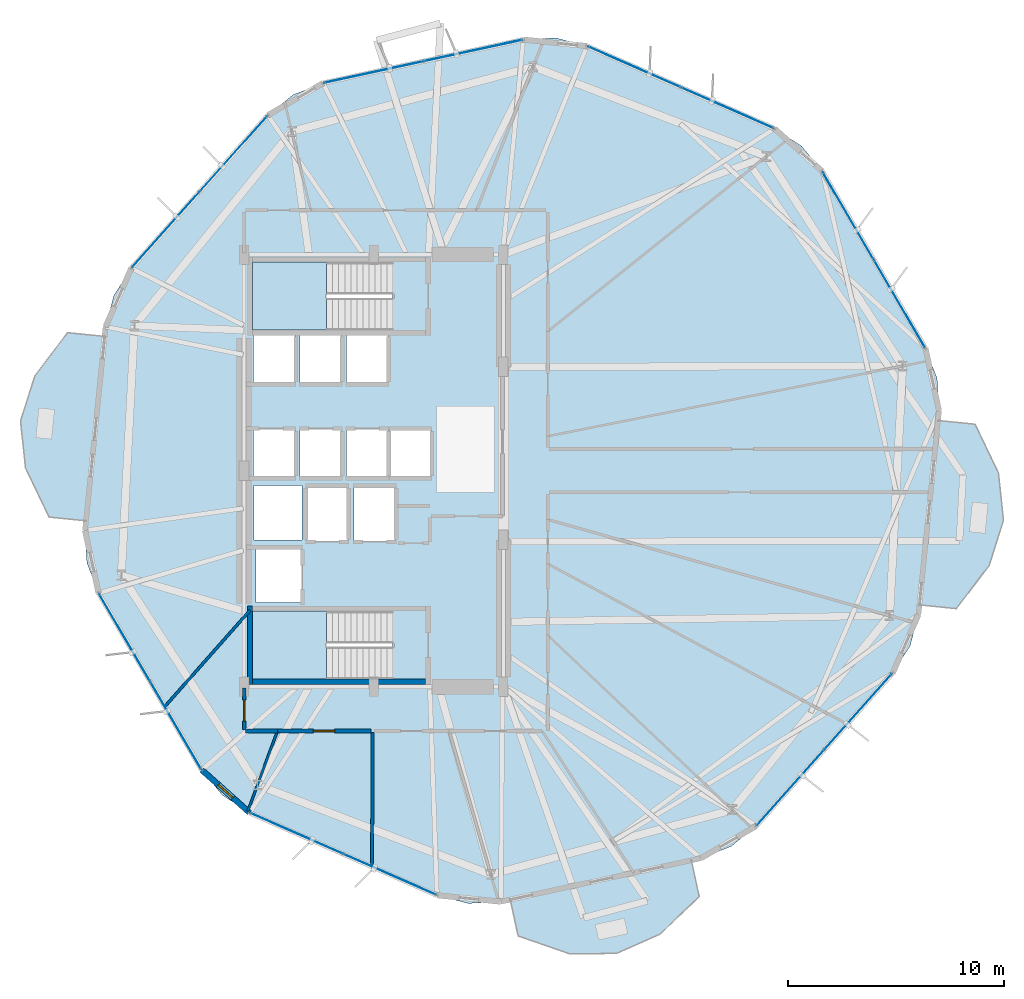
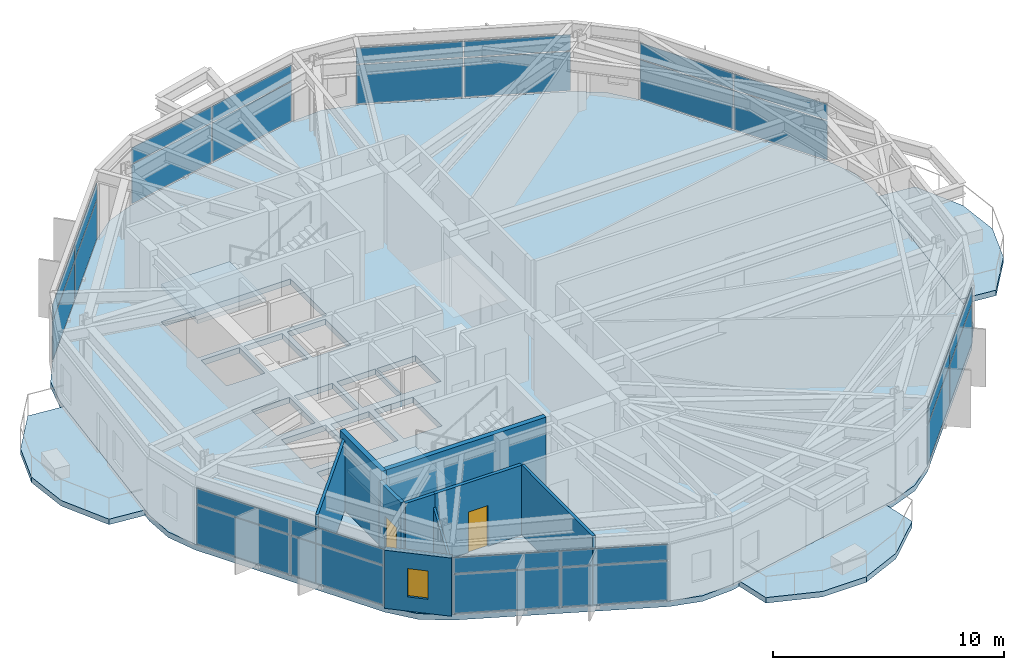
# One storey, part 16 of 22: 28 plates, 9 walls, 6 slabs, 2 doors, 1 window, 3 openings, 9 elements without a shape of their own.
"""IFC4 building model written with IfcOpenShell, lengths in metres."""

from ifc_helpers import new_model, si_unit, direction, frame, frame_2d, origin, origin_2d, place, context, subcontext, project, spatial, polyline, rectangle, outline, extrude, material, layer, layer_set, type_object, element, fill, aggregate, save


model = new_model("IFC4")

# Units and contexts
model_context = context("Model", 3, precision=1e-05, world=origin(), true_north=direction((0.0, 1.0)))
body_context = subcontext(model_context, "Body", "Model", "MODEL_VIEW")
ifc_project = project(units=[si_unit("LENGTHUNIT", "METRE"), si_unit("AREAUNIT", "SQUARE_METRE"), si_unit("VOLUMEUNIT", "CUBIC_METRE"), si_unit("PLANEANGLEUNIT", "RADIAN"), si_unit("MASSUNIT", "GRAM", prefix="KILO")], contexts=[model_context])

# Site, building, storey
site_placement = place(None, origin())
site = spatial("IfcSite", under=ifc_project, at=site_placement, CompositionType="ELEMENT")
building_placement = place(site_placement, origin())
building = spatial("IfcBuilding", under=site, at=building_placement, Name="Soratama Intermodal Tower", CompositionType="ELEMENT")
storey_placement = place(building_placement, frame((0.0, 0.0, 74.60009765625)))
storey = spatial("IfcBuildingStorey", under=building, at=storey_placement, Name="L17", CompositionType="ELEMENT", Elevation=74.60009765625)

# Curtain wall, plates
ifc_material_1 = material(Name="Double-glazed aluminium curtain wall", Category="aluminium")
ifc_layer_1 = layer(ifc_material_1, 0.159912109375)
ifc_layer_set_1 = layer_set([ifc_layer_1], Name="Double-glazed aluminium curtain wall")
curtain_wall_type = type_object("IfcCurtainWallType", Name="CW-SYS-2", PredefinedType="NOTDEFINED", material=ifc_layer_set_1)
curtain_wall_1_placement = place(storey_placement, origin())
curtain_wall_1 = element("IfcCurtainWall", 1, at=curtain_wall_1_placement, inside=storey, type_object=curtain_wall_type, Name="L17 Faceted Curtain Wall F01", PredefinedType="NOTDEFINED")
ifc_material_2 = material(Name="Low-E laminated double glazing", Category="glass")
ifc_layer_2 = layer(ifc_material_2, 0.031982421875)
ifc_layer_set_2 = layer_set([ifc_layer_2], Name="Low-E laminated double glazing")
plate_type = type_object("IfcPlateType", Name="PT-CWP-2", PredefinedType="CURTAIN_PANEL", material=ifc_layer_set_2)
plate_1_placement = place(storey_placement, frame((62.931640625, 32.72802734375, 0.059814453125), z_axis=(0.0, 0.0, 1.0), x_axis=(-0.503620383377, 0.863925060088, 0.0)))
plate_1 = element("IfcPlate", 2, at=plate_1_placement, type_object=plate_type, Name="CW-2 panel 1.1", PredefinedType="CURTAIN_PANEL", context=body_context, shape_type="SweptSolid", body=[
    extrude(rectangle(XDim=4.6484375, YDim=0.028076171875, at=origin_2d()), origin(), (0.0, 0.0, 1.0), 2.06005859375),
])
plate_2_placement = place(storey_placement, frame((62.931640625, 32.72802734375, 2.1796875), z_axis=(0.0, 0.0, 1.0), x_axis=(-0.503620383377, 0.863925060088, 0.0)))
plate_2 = element("IfcPlate", 3, at=plate_2_placement, type_object=plate_type, Name="CW-2 panel 1.2", PredefinedType="CURTAIN_PANEL", context=body_context, shape_type="SweptSolid", body=[
    extrude(rectangle(XDim=4.6484375, YDim=0.028076171875, at=origin_2d()), origin(), (0.0, 0.0, 1.0), 0.839111328125),
])
plate_3_placement = place(storey_placement, frame((60.560302734375, 36.7958984375, 0.059814453125), z_axis=(0.0, 0.0, 1.0), x_axis=(-0.503620383377, 0.863925060088, 0.0)))
plate_3 = element("IfcPlate", 4, at=plate_3_placement, type_object=plate_type, Name="CW-2 panel 2.1", PredefinedType="CURTAIN_PANEL", context=body_context, shape_type="SweptSolid", body=[
    extrude(rectangle(XDim=4.6484375, YDim=0.028076171875, at=origin_2d()), origin(), (0.0, 0.0, 1.0), 2.06005859375),
])
plate_4_placement = place(storey_placement, frame((60.560302734375, 36.7958984375, 2.1796875), z_axis=(0.0, 0.0, 1.0), x_axis=(-0.503620383377, 0.863925060088, 0.0)))
plate_4 = element("IfcPlate", 5, at=plate_4_placement, type_object=plate_type, Name="CW-2 panel 2.2", PredefinedType="CURTAIN_PANEL", context=body_context, shape_type="SweptSolid", body=[
    extrude(rectangle(XDim=4.6484375, YDim=0.028076171875, at=origin_2d()), origin(), (0.0, 0.0, 1.0), 0.839111328125),
])
aggregate(curtain_wall_1, [plate_1, plate_2, plate_3, plate_4])

curtain_wall_2_placement = place(storey_placement, origin())
curtain_wall_2 = element("IfcCurtainWall", 6, at=curtain_wall_2_placement, inside=storey, type_object=curtain_wall_type, Name="L17 Faceted Curtain Wall F02", PredefinedType="NOTDEFINED")
plate_5_placement = place(storey_placement, frame((54.96435546875, 41.792236328125, 0.059814453125), z_axis=(0.0, 0.0, 1.0), x_axis=(-0.915242200703, 0.402904100318, 0.0)))
plate_5 = element("IfcPlate", 7, at=plate_5_placement, type_object=plate_type, Name="CW-2 panel 1.1", PredefinedType="CURTAIN_PANEL", context=body_context, shape_type="SweptSolid", body=[
    extrude(rectangle(XDim=4.6484375, YDim=0.028076171875, at=origin_2d()), origin(), (0.0, 0.0, 1.0), 2.06005859375),
])
plate_6_placement = place(storey_placement, frame((54.96435546875, 41.792236328125, 2.1796875), z_axis=(0.0, 0.0, 1.0), x_axis=(-0.915242200703, 0.402904100318, 0.0)))
plate_6 = element("IfcPlate", 8, at=plate_6_placement, type_object=plate_type, Name="CW-2 panel 1.2", PredefinedType="CURTAIN_PANEL", context=body_context, shape_type="SweptSolid", body=[
    extrude(rectangle(XDim=4.6484375, YDim=0.028076171875, at=origin_2d()), origin(), (0.0, 0.0, 1.0), 0.839111328125),
])
plate_7_placement = place(storey_placement, frame((50.655029296875, 43.689208984375, 0.059814453125), z_axis=(0.0, 0.0, 1.0), x_axis=(-0.915242200703, 0.402904100318, 0.0)))
plate_7 = element("IfcPlate", 9, at=plate_7_placement, type_object=plate_type, Name="CW-2 panel 2.1", PredefinedType="CURTAIN_PANEL", context=body_context, shape_type="SweptSolid", body=[
    extrude(rectangle(XDim=4.6484375, YDim=0.028076171875, at=origin_2d()), origin(), (0.0, 0.0, 1.0), 2.06005859375),
])
plate_8_placement = place(storey_placement, frame((50.655029296875, 43.689208984375, 2.1796875), z_axis=(0.0, 0.0, 1.0), x_axis=(-0.915242200703, 0.402904100318, 0.0)))
plate_8 = element("IfcPlate", 10, at=plate_8_placement, type_object=plate_type, Name="CW-2 panel 2.2", PredefinedType="CURTAIN_PANEL", context=body_context, shape_type="SweptSolid", body=[
    extrude(rectangle(XDim=4.6484375, YDim=0.028076171875, at=origin_2d()), origin(), (0.0, 0.0, 1.0), 0.839111328125),
])
aggregate(curtain_wall_2, [plate_5, plate_6, plate_7, plate_8])

curtain_wall_3_placement = place(storey_placement, origin())
curtain_wall_3 = element("IfcCurtainWall", 11, at=curtain_wall_3_placement, inside=storey, type_object=curtain_wall_type, Name="L17 Faceted Curtain Wall F03", PredefinedType="NOTDEFINED")
plate_9_placement = place(storey_placement, frame((43.191162109375, 44.442138671875, 0.059814453125), z_axis=(0.0, 0.0, 1.0), x_axis=(-0.977269789308, -0.211999431382, 0.0)))
plate_9 = element("IfcPlate", 12, at=plate_9_placement, type_object=plate_type, Name="CW-2 panel 1.1", PredefinedType="CURTAIN_PANEL", context=body_context, shape_type="SweptSolid", body=[
    extrude(rectangle(XDim=4.6484375, YDim=0.028076171875, at=origin_2d()), origin(), (0.0, 0.0, 1.0), 2.06005859375),
])
plate_10_placement = place(storey_placement, frame((43.191162109375, 44.442138671875, 2.1796875), z_axis=(0.0, 0.0, 1.0), x_axis=(-0.977269789308, -0.211999431382, 0.0)))
plate_10 = element("IfcPlate", 13, at=plate_10_placement, type_object=plate_type, Name="CW-2 panel 1.2", PredefinedType="CURTAIN_PANEL", context=body_context, shape_type="SweptSolid", body=[
    extrude(rectangle(XDim=4.6484375, YDim=0.028076171875, at=origin_2d()), origin(), (0.0, 0.0, 1.0), 0.839111328125),
])
plate_11_placement = place(storey_placement, frame((38.58984375, 43.44384765625, 0.059814453125), z_axis=(0.0, 0.0, 1.0), x_axis=(-0.977269789308, -0.211999431382, 0.0)))
plate_11 = element("IfcPlate", 14, at=plate_11_placement, type_object=plate_type, Name="CW-2 panel 2.1", PredefinedType="CURTAIN_PANEL", context=body_context, shape_type="SweptSolid", body=[
    extrude(rectangle(XDim=4.6484375, YDim=0.028076171875, at=origin_2d()), origin(), (0.0, 0.0, 1.0), 2.06005859375),
])
plate_12_placement = place(storey_placement, frame((38.58984375, 43.44384765625, 2.1796875), z_axis=(0.0, 0.0, 1.0), x_axis=(-0.977269789308, -0.211999431382, 0.0)))
plate_12 = element("IfcPlate", 15, at=plate_12_placement, type_object=plate_type, Name="CW-2 panel 2.2", PredefinedType="CURTAIN_PANEL", context=body_context, shape_type="SweptSolid", body=[
    extrude(rectangle(XDim=4.6484375, YDim=0.028076171875, at=origin_2d()), origin(), (0.0, 0.0, 1.0), 0.839111328125),
])
aggregate(curtain_wall_3, [plate_9, plate_10, plate_11, plate_12])

curtain_wall_4_placement = place(storey_placement, origin())
curtain_wall_4 = element("IfcCurtainWall", 16, at=curtain_wall_4_placement, inside=storey, type_object=curtain_wall_type, Name="L17 Faceted Curtain Wall F04", PredefinedType="NOTDEFINED")
plate_13_placement = place(storey_placement, frame((32.10888671875, 39.665771484375, 0.059814453125), z_axis=(0.0, 0.0, 1.0), x_axis=(-0.666016608076, -0.745936912726, 0.0)))
plate_13 = element("IfcPlate", 17, at=plate_13_placement, type_object=plate_type, Name="CW-2 panel 1.1", PredefinedType="CURTAIN_PANEL", context=body_context, shape_type="SweptSolid", body=[
    extrude(rectangle(XDim=4.6484375, YDim=0.028076171875, at=origin_2d()), origin(), (0.0, 0.0, 1.0), 2.06005859375),
])
plate_14_placement = place(storey_placement, frame((32.10888671875, 39.665771484375, 2.1796875), z_axis=(0.0, 0.0, 1.0), x_axis=(-0.666016608076, -0.745936912726, 0.0)))
plate_14 = element("IfcPlate", 18, at=plate_14_placement, type_object=plate_type, Name="CW-2 panel 1.2", PredefinedType="CURTAIN_PANEL", context=body_context, shape_type="SweptSolid", body=[
    extrude(rectangle(XDim=4.6484375, YDim=0.028076171875, at=origin_2d()), origin(), (0.0, 0.0, 1.0), 0.839111328125),
])
plate_15_placement = place(storey_placement, frame((28.97314453125, 36.153564453125, 0.059814453125), z_axis=(0.0, 0.0, 1.0), x_axis=(-0.666016608076, -0.745936912726, 0.0)))
plate_15 = element("IfcPlate", 19, at=plate_15_placement, type_object=plate_type, Name="CW-2 panel 2.1", PredefinedType="CURTAIN_PANEL", context=body_context, shape_type="SweptSolid", body=[
    extrude(rectangle(XDim=4.6484375, YDim=0.028076171875, at=origin_2d()), origin(), (0.0, 0.0, 1.0), 2.06005859375),
])
plate_16_placement = place(storey_placement, frame((28.97314453125, 36.153564453125, 2.1796875), z_axis=(0.0, 0.0, 1.0), x_axis=(-0.666016608076, -0.745936912726, 0.0)))
plate_16 = element("IfcPlate", 20, at=plate_16_placement, type_object=plate_type, Name="CW-2 panel 2.2", PredefinedType="CURTAIN_PANEL", context=body_context, shape_type="SweptSolid", body=[
    extrude(rectangle(XDim=4.6484375, YDim=0.028076171875, at=origin_2d()), origin(), (0.0, 0.0, 1.0), 0.839111328125),
])
aggregate(curtain_wall_4, [plate_13, plate_14, plate_15, plate_16])

curtain_wall_5_placement = place(storey_placement, origin())
curtain_wall_5 = element("IfcCurtainWall", 21, at=curtain_wall_5_placement, inside=storey, type_object=curtain_wall_type, Name="L17 Faceted Curtain Wall F06", PredefinedType="NOTDEFINED")
plate_17_placement = place(storey_placement, frame((27.068359375, 17.27197265625, 0.059814453125), z_axis=(0.0, 0.0, 1.0), x_axis=(0.503620383377, -0.863925060088, 0.0)))
plate_17 = element("IfcPlate", 22, at=plate_17_placement, type_object=plate_type, Name="CW-2 panel 1.1", PredefinedType="CURTAIN_PANEL", context=body_context, shape_type="SweptSolid", body=[
    extrude(rectangle(XDim=4.6484375, YDim=0.028076171875, at=origin_2d()), origin(), (0.0, 0.0, 1.0), 2.06005859375),
])
plate_18_placement = place(storey_placement, frame((27.068359375, 17.27197265625, 2.1796875), z_axis=(0.0, 0.0, 1.0), x_axis=(0.503620383377, -0.863925060088, 0.0)))
plate_18 = element("IfcPlate", 23, at=plate_18_placement, type_object=plate_type, Name="CW-2 panel 1.2", PredefinedType="CURTAIN_PANEL", context=body_context, shape_type="SweptSolid", body=[
    extrude(rectangle(XDim=4.6484375, YDim=0.028076171875, at=origin_2d()), origin(), (0.0, 0.0, 1.0), 0.839111328125),
])
plate_19_placement = place(storey_placement, frame((29.439697265625, 13.2041015625, 0.059814453125), z_axis=(0.0, 0.0, 1.0), x_axis=(0.503620383377, -0.863925060088, 0.0)))
plate_19 = element("IfcPlate", 24, at=plate_19_placement, type_object=plate_type, Name="CW-2 panel 2.1", PredefinedType="CURTAIN_PANEL", context=body_context, shape_type="SweptSolid", body=[
    extrude(rectangle(XDim=4.6484375, YDim=0.028076171875, at=origin_2d()), origin(), (0.0, 0.0, 1.0), 2.06005859375),
])
plate_20_placement = place(storey_placement, frame((29.439697265625, 13.2041015625, 2.1796875), z_axis=(0.0, 0.0, 1.0), x_axis=(0.503620383377, -0.863925060088, 0.0)))
plate_20 = element("IfcPlate", 25, at=plate_20_placement, type_object=plate_type, Name="CW-2 panel 2.2", PredefinedType="CURTAIN_PANEL", context=body_context, shape_type="SweptSolid", body=[
    extrude(rectangle(XDim=4.6484375, YDim=0.028076171875, at=origin_2d()), origin(), (0.0, 0.0, 1.0), 0.839111328125),
])
aggregate(curtain_wall_5, [plate_17, plate_18, plate_19, plate_20])

curtain_wall_6_placement = place(storey_placement, origin())
curtain_wall_6 = element("IfcCurtainWall", 26, at=curtain_wall_6_placement, inside=storey, type_object=curtain_wall_type, Name="L17 Faceted Curtain Wall F07", PredefinedType="NOTDEFINED")
plate_21_placement = place(storey_placement, frame((35.03564453125, 8.207763671875, 0.059814453125), z_axis=(0.0, 0.0, 1.0), x_axis=(0.915242200703, -0.402904100318, 0.0)))
plate_21 = element("IfcPlate", 27, at=plate_21_placement, type_object=plate_type, Name="CW-2 panel 1.1", PredefinedType="CURTAIN_PANEL", context=body_context, shape_type="SweptSolid", body=[
    extrude(rectangle(XDim=4.6484375, YDim=0.028076171875, at=origin_2d()), origin(), (0.0, 0.0, 1.0), 2.06005859375),
])
plate_22_placement = place(storey_placement, frame((35.03564453125, 8.207763671875, 2.1796875), z_axis=(0.0, 0.0, 1.0), x_axis=(0.915242200703, -0.402904100318, 0.0)))
plate_22 = element("IfcPlate", 28, at=plate_22_placement, type_object=plate_type, Name="CW-2 panel 1.2", PredefinedType="CURTAIN_PANEL", context=body_context, shape_type="SweptSolid", body=[
    extrude(rectangle(XDim=4.6484375, YDim=0.028076171875, at=origin_2d()), origin(), (0.0, 0.0, 1.0), 0.839111328125),
])
plate_23_placement = place(storey_placement, frame((39.344970703125, 6.310791015625, 0.059814453125), z_axis=(0.0, 0.0, 1.0), x_axis=(0.915242200703, -0.402904100318, 0.0)))
plate_23 = element("IfcPlate", 29, at=plate_23_placement, type_object=plate_type, Name="CW-2 panel 2.1", PredefinedType="CURTAIN_PANEL", context=body_context, shape_type="SweptSolid", body=[
    extrude(rectangle(XDim=4.6484375, YDim=0.028076171875, at=origin_2d()), origin(), (0.0, 0.0, 1.0), 2.06005859375),
])
plate_24_placement = place(storey_placement, frame((39.344970703125, 6.310791015625, 2.1796875), z_axis=(0.0, 0.0, 1.0), x_axis=(0.915242200703, -0.402904100318, 0.0)))
plate_24 = element("IfcPlate", 30, at=plate_24_placement, type_object=plate_type, Name="CW-2 panel 2.2", PredefinedType="CURTAIN_PANEL", context=body_context, shape_type="SweptSolid", body=[
    extrude(rectangle(XDim=4.6484375, YDim=0.028076171875, at=origin_2d()), origin(), (0.0, 0.0, 1.0), 0.839111328125),
])
aggregate(curtain_wall_6, [plate_21, plate_22, plate_23, plate_24])

curtain_wall_7_placement = place(storey_placement, origin())
curtain_wall_7 = element("IfcCurtainWall", 31, at=curtain_wall_7_placement, inside=storey, type_object=curtain_wall_type, Name="L17 Faceted Curtain Wall F09", PredefinedType="NOTDEFINED")
plate_25_placement = place(storey_placement, frame((57.89111328125, 10.334228515625, 0.059814453125), z_axis=(0.0, 0.0, 1.0), x_axis=(0.666016608076, 0.745936912726, 0.0)))
plate_25 = element("IfcPlate", 32, at=plate_25_placement, type_object=plate_type, Name="CW-2 panel 1.1", PredefinedType="CURTAIN_PANEL", context=body_context, shape_type="SweptSolid", body=[
    extrude(rectangle(XDim=4.6484375, YDim=0.028076171875, at=origin_2d()), origin(), (0.0, 0.0, 1.0), 2.06005859375),
])
plate_26_placement = place(storey_placement, frame((57.89111328125, 10.334228515625, 2.1796875), z_axis=(0.0, 0.0, 1.0), x_axis=(0.666016608076, 0.745936912726, 0.0)))
plate_26 = element("IfcPlate", 33, at=plate_26_placement, type_object=plate_type, Name="CW-2 panel 1.2", PredefinedType="CURTAIN_PANEL", context=body_context, shape_type="SweptSolid", body=[
    extrude(rectangle(XDim=4.6484375, YDim=0.028076171875, at=origin_2d()), origin(), (0.0, 0.0, 1.0), 0.839111328125),
])
plate_27_placement = place(storey_placement, frame((61.02685546875, 13.846435546875, 0.059814453125), z_axis=(0.0, 0.0, 1.0), x_axis=(0.666016608076, 0.745936912726, 0.0)))
plate_27 = element("IfcPlate", 34, at=plate_27_placement, type_object=plate_type, Name="CW-2 panel 2.1", PredefinedType="CURTAIN_PANEL", context=body_context, shape_type="SweptSolid", body=[
    extrude(rectangle(XDim=4.6484375, YDim=0.028076171875, at=origin_2d()), origin(), (0.0, 0.0, 1.0), 2.06005859375),
])
plate_28_placement = place(storey_placement, frame((61.02685546875, 13.846435546875, 2.1796875), z_axis=(0.0, 0.0, 1.0), x_axis=(0.666016608076, 0.745936912726, 0.0)))
plate_28 = element("IfcPlate", 35, at=plate_28_placement, type_object=plate_type, Name="CW-2 panel 2.2", PredefinedType="CURTAIN_PANEL", context=body_context, shape_type="SweptSolid", body=[
    extrude(rectangle(XDim=4.6484375, YDim=0.028076171875, at=origin_2d()), origin(), (0.0, 0.0, 1.0), 0.839111328125),
])
aggregate(curtain_wall_7, [plate_25, plate_26, plate_27, plate_28])

# Slabs
ifc_material_3 = material(Name="Concrete f'c 42 MPa", Category="concrete")
ifc_layer_3 = layer(ifc_material_3, 0.2900390625)
ifc_layer_set_3 = layer_set([ifc_layer_3], Name="Concrete f'c 42 MPa")
slab_type_1 = type_object("IfcSlabType", Name="SL-EXT-BAL2", PredefinedType="FLOOR", material=ifc_layer_set_3)
slab_1_placement = place(storey_placement, frame((0.0, 0.0, -0.2900390625)))
element("IfcSlab", 36, at=slab_1_placement, inside=storey, type_object=slab_type_1, Name="L17 Planted Balcony East 1", PredefinedType="FLOOR", context=body_context, shape_type="SweptSolid", body=[
    extrude(outline(polyline([(63.855224609375, 18.787841796875), (64.716064453125, 27.321533203125), (66.427490234375, 27.148681640625), (67.5166015625, 24.8837890625), (67.748046875, 22.705322265625), (67.086181640625, 20.616943359375), (65.566650390625, 18.615234375), (63.855224609375, 18.787841796875)])), origin(), (0.0, 0.0, 1.0), 0.2900390625),
])
slab_2_placement = place(storey_placement, frame((0.0, 0.0, -0.2900390625)))
element("IfcSlab", 37, at=slab_2_placement, inside=storey, type_object=slab_type_1, Name="L17 Planted Balcony West 2", PredefinedType="FLOOR", context=body_context, shape_type="SweptSolid", body=[
    extrude(outline(polyline([(26.144775390625, 31.212158203125), (25.283935546875, 22.678466796875), (23.572509765625, 22.851318359375), (22.4833984375, 25.1162109375), (22.251953125, 27.294677734375), (22.913818359375, 29.383056640625), (24.433349609375, 31.384765625), (26.144775390625, 31.212158203125)])), origin(), (0.0, 0.0, 1.0), 0.2900390625),
])
slab_3_placement = place(storey_placement, frame((0.0, 0.0, -0.2900390625)))
element("IfcSlab", 38, at=slab_3_placement, inside=storey, type_object=slab_type_1, Name="L17 Planted Balcony South 3", PredefinedType="FLOOR", context=body_context, shape_type="SweptSolid", body=[
    extrude(outline(polyline([(44.91845703125, 5.14794921875), (53.30029296875, 6.96630859375), (53.6650390625, 5.285400390625), (51.847412109375, 3.549560546875), (49.84716796875, 2.65625), (47.656494140625, 2.640380859375), (45.283203125, 3.467041015625), (44.91845703125, 5.14794921875)])), origin(), (0.0, 0.0, 1.0), 0.2900390625),
])

# Stair, slab
ifc_material_4 = material(Name="Concrete f'c 42 MPa", Category="concrete")
stair_type = type_object("IfcStairType", Name="ST-CORE-DOGLEG", PredefinedType="HALF_TURN_STAIR", material=ifc_material_4)
stair_1_placement = place(storey_placement, origin())
stair_1 = element("IfcStair", 39, at=stair_1_placement, inside=storey, type_object=stair_type, Name="L17 ST-1", PredefinedType="HALF_TURN_STAIR")
ifc_material_5 = material(Name="Concrete f'c 42 MPa", Category="concrete")
ifc_layer_4 = layer(ifc_material_5, 0.219970703125)
ifc_layer_set_4 = layer_set([ifc_layer_4], Name="Concrete f'c 42 MPa")
slab_type_2 = type_object("IfcSlabType", Name="SL-STAIR-LAND", PredefinedType="LANDING", material=ifc_layer_set_4)
slab_4_placement = place(storey_placement, frame((0.0, 0.0, 1.7998046875)))
slab_4 = element("IfcSlab", 40, at=slab_4_placement, type_object=slab_type_2, Name="ST-1 landing 1", PredefinedType="LANDING", context=body_context, shape_type="SweptSolid", body=[
    extrude(outline(polyline([(36.419921875, 18.5), (33.0, 18.5), (33.0, 15.35009765625), (36.419921875, 15.35009765625), (36.419921875, 18.5)])), origin(), (0.0, 0.0, 1.0), 0.2001953125),
])
aggregate(stair_1, [slab_4])

stair_2_placement = place(storey_placement, origin())
stair_2 = element("IfcStair", 41, at=stair_2_placement, inside=storey, type_object=stair_type, Name="L17 ST-2", PredefinedType="HALF_TURN_STAIR")
slab_5_placement = place(storey_placement, frame((0.0, 0.0, 1.7998046875)))
slab_5 = element("IfcSlab", 42, at=slab_5_placement, type_object=slab_type_2, Name="ST-2 landing 1", PredefinedType="LANDING", context=body_context, shape_type="SweptSolid", body=[
    extrude(outline(polyline([(36.419921875, 34.64990234375), (33.0, 34.64990234375), (33.0, 31.5), (36.419921875, 31.5), (36.419921875, 34.64990234375)])), origin(), (0.0, 0.0, 1.0), 0.2001953125),
])
aggregate(stair_2, [slab_5])

# Slab
ifc_material_6 = material(Name="Concrete f'c 42 MPa", Category="concrete")
ifc_layer_5 = layer(ifc_material_6, 0.280029296875)
ifc_layer_set_5 = layer_set([ifc_layer_5], Name="Concrete f'c 42 MPa")
slab_type_3 = type_object("IfcSlabType", Name="SL-TWR-280", PredefinedType="FLOOR", material=ifc_layer_set_5)
slab_6_placement = place(storey_placement, frame((0.0, 0.0, -0.300048828125)))
element("IfcSlab", 43, at=slab_6_placement, inside=storey, type_object=slab_type_3, Name="L17 Structural Floor Slab", PredefinedType="FLOOR", context=body_context, shape_type="SweptSolid", body=[
    extrude(outline(polyline([(64.76123046875, 27.769287109375), (64.676513671875, 29.2685546875), (64.13232421875, 30.668212890625), (59.359619140625, 38.855712890625), (58.409423828125, 40.018798828125), (57.146484375, 40.83154296875), (48.472900390625, 44.64990234375), (47.020751953125, 45.032470703125), (45.521240234375, 44.947509765625), (36.259765625, 42.9384765625), (34.860107421875, 42.394287109375), (33.697021484375, 41.4443359375), (27.385009765625, 34.375), (26.572509765625, 33.1123046875), (26.18994140625, 31.659912109375), (25.23876953125, 22.230712890625), (25.323486328125, 20.7314453125), (25.86767578125, 19.331787109375), (30.640380859375, 11.144287109375), (31.590576171875, 9.981201171875), (32.853515625, 9.16845703125), (41.527099609375, 5.35009765625), (42.979248046875, 4.967529296875), (44.478759765625, 5.052490234375), (53.740234375, 7.0615234375), (55.139892578125, 7.605712890625), (56.302978515625, 8.5556640625), (62.614990234375, 15.625), (63.427490234375, 16.8876953125), (63.81005859375, 18.340087890625), (64.76123046875, 27.769287109375)]), holes=[polyline([(33.0, 18.5), (33.0, 15.35009765625), (39.47509765625, 15.35009765625), (39.47509765625, 18.5), (33.0, 18.5)]), polyline([(35.260009765625, 18.889892578125), (35.260009765625, 21.409912109375), (33.139892578125, 21.409912109375), (33.139892578125, 18.889892578125), (35.260009765625, 18.889892578125)]), polyline([(33.050048828125, 21.800048828125), (35.280029296875, 21.800048828125), (35.280029296875, 24.320068359375), (33.050048828125, 24.320068359375), (33.050048828125, 21.800048828125)]), polyline([(34.9599609375, 26.909912109375), (33.0400390625, 26.909912109375), (33.0400390625, 24.68994140625), (34.9599609375, 24.68994140625), (34.9599609375, 26.909912109375)]), polyline([(37.110107421875, 24.68994140625), (37.110107421875, 26.909912109375), (35.18994140625, 26.909912109375), (35.18994140625, 24.68994140625), (37.110107421875, 24.68994140625)]), polyline([(34.9599609375, 29.0400390625), (34.9599609375, 31.260009765625), (33.0400390625, 31.260009765625), (33.0400390625, 29.0400390625), (34.9599609375, 29.0400390625)]), polyline([(37.110107421875, 31.260009765625), (35.18994140625, 31.260009765625), (35.18994140625, 29.0400390625), (37.110107421875, 29.0400390625), (37.110107421875, 31.260009765625)]), polyline([(37.409912109375, 21.739990234375), (37.409912109375, 24.260009765625), (35.489990234375, 24.260009765625), (35.489990234375, 21.739990234375), (37.409912109375, 21.739990234375)]), polyline([(39.610107421875, 21.739990234375), (39.610107421875, 24.260009765625), (37.68994140625, 24.260009765625), (37.68994140625, 21.739990234375), (39.610107421875, 21.739990234375)]), polyline([(39.260009765625, 24.68994140625), (39.260009765625, 26.909912109375), (37.340087890625, 26.909912109375), (37.340087890625, 24.68994140625), (39.260009765625, 24.68994140625)]), polyline([(41.260009765625, 24.68994140625), (41.260009765625, 26.909912109375), (39.340087890625, 26.909912109375), (39.340087890625, 24.68994140625), (41.260009765625, 24.68994140625)]), polyline([(39.260009765625, 29.0400390625), (39.260009765625, 31.260009765625), (37.340087890625, 31.260009765625), (37.340087890625, 29.0400390625), (39.260009765625, 29.0400390625)]), polyline([(39.47509765625, 34.64990234375), (33.0, 34.64990234375), (33.0, 31.5), (39.47509765625, 31.5), (39.47509765625, 34.64990234375)])]), origin(), (0.0, 0.0, 1.0), 0.300048828125),
])

# Wall, opening, window
ifc_material_7 = material(Name="Concrete f'c 42 MPa", Category="concrete")
ifc_layer_6 = layer(ifc_material_7, 0.27001953125)
ifc_layer_set_6 = layer_set([ifc_layer_6], Name="Concrete f'c 42 MPa")
wall_type_1 = type_object("IfcWallType", Name="EW-CRN-270", PredefinedType="SOLIDWALL", material=ifc_layer_set_6)
wall_1_placement = place(storey_placement, frame((30.640380859375, 11.144287109375, 0.0), z_axis=(0.0, 0.0, 1.0), x_axis=(0.745968322864, -0.665981427131, 0.0)))
wall_1 = element("IfcWall", 44, at=wall_1_placement, inside=storey, type_object=wall_type_1, Name="L17 Corner Closure Wall 06", PredefinedType="SOLIDWALL", context=body_context, shape_type="SweptSolid", body=[
    extrude(rectangle(XDim=2.966796875, YDim=0.27001953125, at=frame_2d((1.4833984375, 0.0))), origin(), (0.0, 0.0, 1.0), 3.078857421875),
])
opening_1_placement = place(wall_1_placement, frame((1.033203125, 0.0, 0.75)))
opening_1 = element("IfcOpeningElement", 45, at=opening_1_placement, cuts=wall_1, Name="Opening WN-6", PredefinedType="OPENING", context=body_context, shape_type="SweptSolid", body=[
    extrude(rectangle(XDim=0.89990234375, YDim=1.5, at=frame_2d((0.449951171875, 0.75))), frame((0.0, 0.14501953125, 0.0), z_axis=(0.0, -1.0, 0.0), x_axis=(1.0, 0.0, 0.0)), (0.0, 0.0, 1.0), 0.2900390625),
])
ifc_material_8 = material(Name="Double-glazed aluminium window", Category="aluminium")
window_type = type_object("IfcWindowType", Name="WN-FAC-900", PartitioningType="SINGLE_PANEL", PredefinedType="WINDOW", material=ifc_material_8)
window_placement = place(opening_1_placement, origin())
window = element("IfcWindow", 46, at=window_placement, inside=storey, type_object=window_type, Name="L17 Corner Window 06", OverallHeight=1.5, OverallWidth=0.89990234375, PartitioningType="SINGLE_PANEL", PredefinedType="WINDOW", context=body_context, shape_type="SweptSolid", body=[
    extrude(rectangle(XDim=0.89990234375, YDim=1.5, at=frame_2d((0.449951171875, 0.75))), frame((0.0, 0.030029296875, 0.0), z_axis=(0.0, -1.0, 0.0), x_axis=(1.0, 0.0, 0.0)), (0.0, 0.0, 1.0), 0.06005859375),
])
fill(opening_1, window)

# Wall, opening, door
ifc_material_9 = material(Name="Fire-rated gypsum stud partition", Category="concrete")
ifc_layer_7 = layer(ifc_material_9, 0.169921875)
ifc_layer_set_7 = layer_set([ifc_layer_7], Name="Fire-rated gypsum stud partition")
wall_type_2 = type_object("IfcWallType", Name="IW-PART-R170", PredefinedType="PARTITIONING", material=ifc_layer_set_7)
wall_2_placement = place(storey_placement, frame((38.47900390625, 12.949951171875, 0.0), z_axis=(0.0, 0.0, 1.0), x_axis=(-1.0, 0.0, 0.0)))
wall_2 = element("IfcWall", 47, at=wall_2_placement, inside=storey, type_object=wall_type_2, Name="L17 Partition W-L17-TP019", PredefinedType="PARTITIONING", context=body_context, shape_type="SweptSolid", body=[
    extrude(rectangle(XDim=4.3359375, YDim=0.169921875, at=frame_2d((2.16796875, 0.0))), origin(), (0.0, 0.0, 1.0), 3.699951171875),
])
opening_2_placement = place(wall_2_placement, frame((1.693115234375, 0.0, 0.0)))
opening_2 = element("IfcOpeningElement", 48, at=opening_2_placement, cuts=wall_2, Name="Opening ID-5", PredefinedType="OPENING", context=body_context, shape_type="SweptSolid", body=[
    extrude(rectangle(XDim=0.97998046875, YDim=2.14990234375, at=frame_2d((0.489990234375, 1.074951171875))), frame((0.0, 0.094970703125, 0.0), z_axis=(0.0, -1.0, 0.0), x_axis=(1.0, 0.0, 0.0)), (0.0, 0.0, 1.0), 0.18994140625),
])
ifc_material_10 = material(Name="Solid hardwood acoustic door", Category="wood")
door_type = type_object("IfcDoorType", Name="DR-OFF-980", OperationType="NOTDEFINED", PredefinedType="DOOR", material=ifc_material_10)
door_1_placement = place(opening_2_placement, origin())
door_1 = element("IfcDoor", 49, at=door_1_placement, inside=storey, type_object=door_type, Name="L17 Door D-L17-TP008", OperationType="SINGLE_SWING_LEFT", OverallHeight=2.14990234375, OverallWidth=0.97998046875, PredefinedType="DOOR", context=body_context, shape_type="SweptSolid", body=[
    extrude(rectangle(XDim=0.97998046875, YDim=2.14990234375, at=frame_2d((0.489990234375, 1.074951171875))), frame((0.0, 0.02490234375, 0.0), z_axis=(0.0, -1.0, 0.0), x_axis=(1.0, 0.0, 0.0)), (0.0, 0.0, 1.0), 0.050048828125),
])
fill(opening_2, door_1)

wall_3_placement = place(storey_placement, frame((32.60009765625, 13.02001953125, 0.0), z_axis=(0.0, 0.0, 1.0), x_axis=(0.0, 1.0, 0.0)))
wall_3 = element("IfcWall", 50, at=wall_3_placement, inside=storey, type_object=wall_type_2, Name="L17 Partition W-L17-TP028", PredefinedType="PARTITIONING", context=body_context, shape_type="SweptSolid", body=[
    extrude(rectangle(XDim=1.909912109375, YDim=0.169921875, at=frame_2d((0.955078125, 0.0))), origin(), (0.0, 0.0, 1.0), 3.699951171875),
])
opening_3_placement = place(wall_3_placement, frame((0.384033203125, 0.0, 0.0)))
opening_3 = element("IfcOpeningElement", 51, at=opening_3_placement, cuts=wall_3, Name="Opening ID-5", PredefinedType="OPENING", context=body_context, shape_type="SweptSolid", body=[
    extrude(rectangle(XDim=0.97998046875, YDim=2.14990234375, at=frame_2d((0.489990234375, 1.074951171875))), frame((0.0, 0.094970703125, 0.0), z_axis=(0.0, -1.0, 0.0), x_axis=(1.0, 0.0, 0.0)), (0.0, 0.0, 1.0), 0.18994140625),
])
door_2_placement = place(opening_3_placement, origin())
door_2 = element("IfcDoor", 52, at=door_2_placement, inside=storey, type_object=door_type, Name="L17 Door D-L17-TP015", OperationType="SINGLE_SWING_RIGHT", OverallHeight=2.14990234375, OverallWidth=0.97998046875, PredefinedType="DOOR", context=body_context, shape_type="SweptSolid", body=[
    extrude(rectangle(XDim=0.97998046875, YDim=2.14990234375, at=frame_2d((0.489990234375, 1.074951171875))), frame((0.0, 0.02490234375, 0.0), z_axis=(0.0, -1.0, 0.0), x_axis=(1.0, 0.0, 0.0)), (0.0, 0.0, 1.0), 0.050048828125),
])
fill(opening_3, door_2)

# Walls
wall_4_placement = place(storey_placement, frame((34.14306640625, 12.949951171875, 0.0), z_axis=(0.0, 0.0, 1.0), x_axis=(-1.0, 0.0, 0.0)))
element("IfcWall", 53, at=wall_4_placement, inside=storey, type_object=wall_type_2, Name="L17 Partition W-L17-TP030", PredefinedType="PARTITIONING", context=body_context, shape_type="SweptSolid", body=[
    extrude(rectangle(XDim=1.47314453125, YDim=0.169921875, at=frame_2d((0.736572265625, 0.0))), origin(), (0.0, 0.0, 1.0), 3.699951171875),
])
ifc_material_11 = material(Name="Fire-rated gypsum stud partition", Category="concrete")
ifc_layer_8 = layer(ifc_material_11, 0.110107421875)
ifc_layer_set_8 = layer_set([ifc_layer_8], Name="Fire-rated gypsum stud partition")
wall_type_3 = type_object("IfcWallType", Name="IW-PART-S110", PredefinedType="PARTITIONING", material=ifc_layer_set_8)
wall_5_placement = place(storey_placement, frame((34.14306640625, 12.949951171875, 0.0), z_axis=(0.0, 0.0, 1.0), x_axis=(-0.346733626326, -0.937963641286, 0.0)))
element("IfcWall", 54, at=wall_5_placement, inside=storey, type_object=wall_type_3, Name="L17 Partition W-L17-TP021", PredefinedType="PARTITIONING", context=body_context, shape_type="SweptSolid", body=[
    extrude(rectangle(XDim=3.97119140625, YDim=0.110107421875, at=frame_2d((1.985595703125, 0.0))), origin(), (0.0, 0.0, 1.0), 2.994873046875),
])
ifc_material_12 = material(Name="Fire-rated gypsum stud partition", Category="concrete")
ifc_layer_9 = layer(ifc_material_12, 0.1298828125)
ifc_layer_set_9 = layer_set([ifc_layer_9], Name="Fire-rated gypsum stud partition")
wall_type_4 = type_object("IfcWallType", Name="IW-PART-S130", PredefinedType="PARTITIONING", material=ifc_layer_set_9)
wall_6_placement = place(storey_placement, frame((32.8798828125, 18.5400390625, 0.0), z_axis=(0.0, 0.0, 1.0), x_axis=(-0.663098879781, -0.748531813374, 0.0)))
element("IfcWall", 55, at=wall_6_placement, inside=storey, type_object=wall_type_4, Name="L17 Partition W-L17-TP014", PredefinedType="PARTITIONING", context=body_context, shape_type="SweptSolid", body=[
    extrude(rectangle(XDim=5.958251953125, YDim=0.1298828125, at=frame_2d((2.97900390625, 0.0))), origin(), (0.0, 0.0, 1.0), 3.699951171875),
])
ifc_material_13 = material(Name="Fire-rated gypsum stud partition", Category="concrete")
ifc_layer_10 = layer(ifc_material_13, 0.139892578125)
ifc_layer_set_10 = layer_set([ifc_layer_10], Name="Fire-rated gypsum stud partition")
wall_type_5 = type_object("IfcWallType", Name="IW-PART-S140", PredefinedType="PARTITIONING", material=ifc_layer_set_10)
wall_7_placement = place(storey_placement, frame((38.549072265625, 12.8798828125, 0.0), z_axis=(0.0, 0.0, 1.0), x_axis=(-0.004208750042, -0.999991143172, 0.0)))
element("IfcWall", 56, at=wall_7_placement, inside=storey, type_object=wall_type_5, Name="L17 Partition W-L17-TP013", PredefinedType="PARTITIONING", context=body_context, shape_type="SweptSolid", body=[
    extrude(rectangle(XDim=6.206787109375, YDim=0.139892578125, at=frame_2d((3.103515625, 0.0))), origin(), (0.0, 0.0, 1.0), 3.699951171875),
])
ifc_material_14 = material(Name="Concrete f'c 56 MPa", Category="concrete")
ifc_layer_11 = layer(ifc_material_14, 0.239990234375)
ifc_layer_set_11 = layer_set([ifc_layer_11], Name="Concrete f'c 56 MPa")
wall_type_6 = type_object("IfcWallType", Name="SW-STAIR-240", PredefinedType="SHEAR", material=ifc_layer_set_11)
wall_8_placement = place(storey_placement, frame((32.8798828125, 15.110107421875, 0.0), z_axis=(0.0, 0.0, 1.0), x_axis=(0.0, 1.0, 0.0)))
element("IfcWall", 57, at=wall_8_placement, inside=storey, type_object=wall_type_6, Name="L17 ST-1 Shaft Shear Wall W", PredefinedType="SHEAR", context=body_context, shape_type="SweptSolid", body=[
    extrude(rectangle(XDim=3.6298828125, YDim=0.239990234375, at=frame_2d((1.81494140625, 0.0))), origin(), (0.0, 0.0, 1.0), 4.0),
])
wall_9_placement = place(storey_placement, frame((33.0, 15.22998046875, 0.0), z_axis=(0.0, 0.0, 1.0), x_axis=(1.0, 0.0, 0.0)))
element("IfcWall", 58, at=wall_9_placement, inside=storey, type_object=wall_type_6, Name="L17 ST-1 Shaft Shear Wall S", PredefinedType="SHEAR", context=body_context, shape_type="SweptSolid", body=[
    extrude(rectangle(XDim=8.0, YDim=0.239990234375, at=frame_2d((4.0, 0.0))), origin(), (0.0, 0.0, 1.0), 4.0),
])

save(model, "model.ifc")
